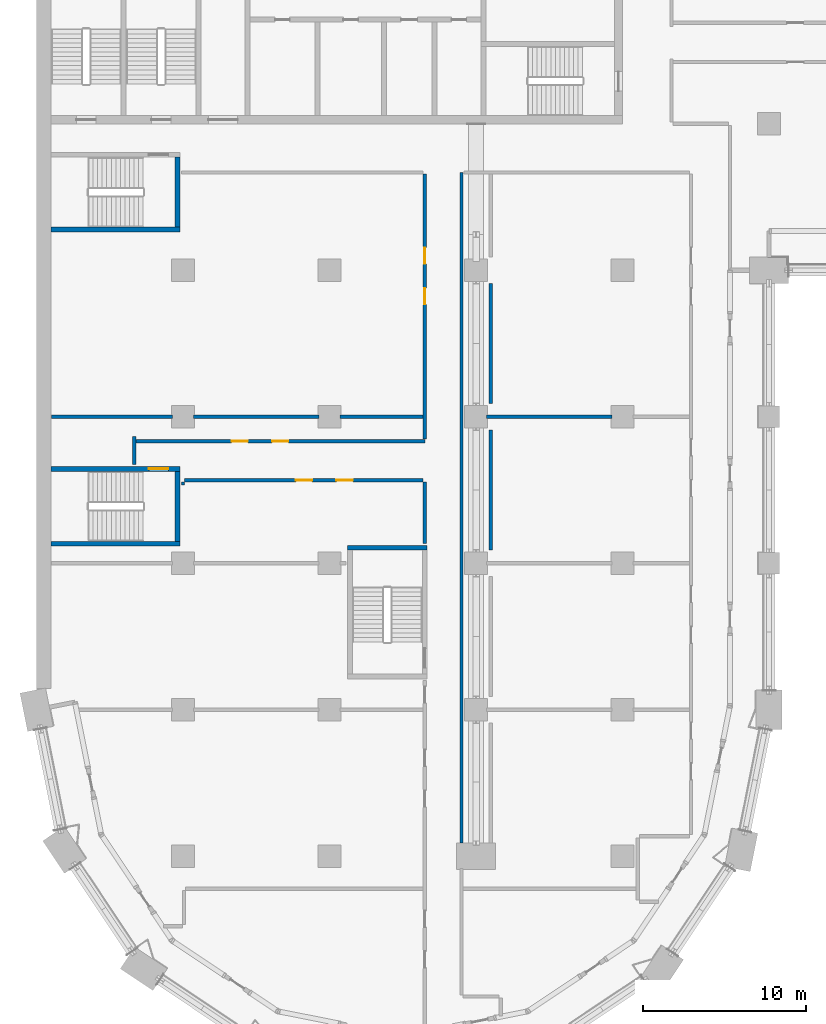
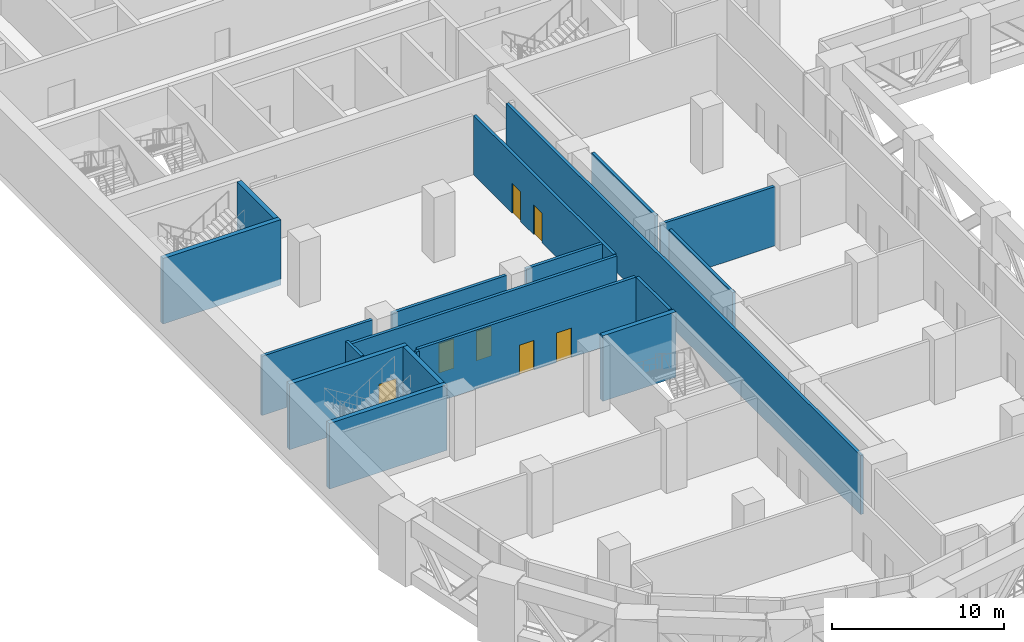
# One storey, part 9 of 24: 19 walls, 7 doors, 7 openings.
"""IFC4 building model written with IfcOpenShell, lengths in metres."""

from ifc_helpers import new_model, si_unit, direction, frame, frame_2d, origin, place, context, subcontext, project, spatial, rectangle, extrude, material, layer, layer_set, type_object, element, fill, save


model = new_model("IFC4")

# Units and contexts
model_context = context("Model", 3, precision=1e-05, world=origin(), true_north=direction((0.0, 1.0)))
body_context = subcontext(model_context, "Body", "Model", "MODEL_VIEW")
ifc_project = project(units=[si_unit("LENGTHUNIT", "METRE"), si_unit("AREAUNIT", "SQUARE_METRE"), si_unit("VOLUMEUNIT", "CUBIC_METRE"), si_unit("PLANEANGLEUNIT", "RADIAN"), si_unit("MASSUNIT", "GRAM", prefix="KILO")], contexts=[model_context])

# Site, building, storey
site_placement = place(None, origin())
site = spatial("IfcSite", under=ifc_project, at=site_placement, CompositionType="ELEMENT")
building_placement = place(site_placement, origin())
building = spatial("IfcBuilding", under=site, at=building_placement, Name="Hunhe Ridgeline Campus", CompositionType="ELEMENT")
storey_placement = place(building_placement, frame((0.0, 0.0, 80.199951171875)))
storey = spatial("IfcBuildingStorey", under=building, at=storey_placement, Name="L19", CompositionType="ELEMENT", Elevation=80.199951171875)

# Wall, openings, doors
ifc_material_1 = material(Name="Gypsum board partition")
ifc_layer_1 = layer(ifc_material_1, 0.199951171875)
ifc_layer_set_1 = layer_set([ifc_layer_1], Name="Corridor partition 200 gypsum board on steel studs")
wall_type_1 = type_object("IfcWallType", Name="Corridor partition 200 gypsum board on steel studs", PredefinedType="PARTITIONING", material=ifc_layer_set_1)
wall_1_placement = place(storey_placement, frame((23.75, 41.10009765625, 0.0), z_axis=(0.0, 0.0, 1.0), x_axis=(-1.0, 0.0, 0.0)))
wall_1 = element("IfcWall", 1, at=wall_1_placement, inside=storey, type_object=wall_type_1, Name="F-L19-wall-017", PredefinedType="PARTITIONING", context=body_context, shape_type="SweptSolid", body=[
    extrude(rectangle(XDim=14.64990234375, YDim=0.199951171875, at=frame_2d((7.324951171875, 0.0))), origin(), (0.0, 0.0, 1.0), 4.199951171875),
])
opening_1_placement = place(wall_1_placement, frame((6.824951171875, 0.0, 0.0)))
opening_1 = element("IfcOpeningElement", 2, at=opening_1_placement, cuts=wall_1, Name="Opening RD1-011", PredefinedType="OPENING", context=body_context, shape_type="SweptSolid", body=[
    extrude(rectangle(XDim=1.0, YDim=2.10009765625, at=frame_2d((0.5, 1.050048828125))), frame((0.0, 0.10009765625, 0.0), z_axis=(0.0, -1.0, 0.0), x_axis=(1.0, 0.0, 0.0)), (0.0, 0.0, 1.0), 0.199951171875),
])
opening_2_placement = place(wall_1_placement, frame((4.324951171875, 0.0, 0.0)))
opening_2 = element("IfcOpeningElement", 3, at=opening_2_placement, cuts=wall_1, Name="Opening RD1-012", PredefinedType="OPENING", context=body_context, shape_type="SweptSolid", body=[
    extrude(rectangle(XDim=1.0, YDim=2.10009765625, at=frame_2d((0.5, 1.050048828125))), frame((0.0, 0.10009765625, 0.0), z_axis=(0.0, -1.0, 0.0), x_axis=(1.0, 0.0, 0.0)), (0.0, 0.0, 1.0), 0.199951171875),
])
ifc_material_2 = material(Name="Timber door leaf", Category="wood")
door_type_1 = type_object("IfcDoorType", Name="Single fire door 1000x2100 timber FD60", OperationType="NOTDEFINED", PredefinedType="DOOR", material=ifc_material_2)
door_1_placement = place(opening_1_placement, frame((1.0, 0.0, 0.0), z_axis=(0.0, 0.0, 1.0), x_axis=(-1.0, 0.0, 0.0)))
door_1 = element("IfcDoor", 4, at=door_1_placement, inside=storey, type_object=door_type_1, Name="F-L19-door-011", OperationType="SINGLE_SWING_RIGHT", OverallHeight=2.10009765625, OverallWidth=1.0, PredefinedType="DOOR", context=body_context, shape_type="SweptSolid", body=[
    extrude(rectangle(XDim=1.0, YDim=2.10009765625, at=frame_2d((0.5, 1.050048828125))), frame((0.0, 0.02490234375, 0.0), z_axis=(0.0, -1.0, 0.0), x_axis=(1.0, 0.0, 0.0)), (0.0, 0.0, 1.0), 0.050048828125),
])
fill(opening_1, door_1)
door_2_placement = place(opening_2_placement, frame((1.0, 0.0, 0.0), z_axis=(0.0, 0.0, 1.0), x_axis=(-1.0, 0.0, 0.0)))
door_2 = element("IfcDoor", 5, at=door_2_placement, inside=storey, type_object=door_type_1, Name="F-L19-door-012", OperationType="SINGLE_SWING_RIGHT", OverallHeight=2.10009765625, OverallWidth=1.0, PredefinedType="DOOR", context=body_context, shape_type="SweptSolid", body=[
    extrude(rectangle(XDim=1.0, YDim=2.10009765625, at=frame_2d((0.5, 1.050048828125))), frame((0.0, 0.02490234375, 0.0), z_axis=(0.0, -1.0, 0.0), x_axis=(1.0, 0.0, 0.0)), (0.0, 0.0, 1.0), 0.050048828125),
])
fill(opening_2, door_2)

wall_2_placement = place(storey_placement, frame((6.10009765625, 43.5, 0.0), z_axis=(0.0, 0.0, 1.0), x_axis=(1.0, 0.0, 0.0)))
wall_2 = element("IfcWall", 6, at=wall_2_placement, inside=storey, type_object=wall_type_1, Name="F-L19-wall-018", PredefinedType="PARTITIONING", context=body_context, shape_type="SweptSolid", body=[
    extrude(rectangle(XDim=17.75, YDim=0.199951171875, at=frame_2d((8.875, 0.0))), origin(), (0.0, 0.0, 1.0), 4.199951171875),
])
opening_3_placement = place(wall_2_placement, frame((5.875, 0.0, 0.0)))
opening_3 = element("IfcOpeningElement", 7, at=opening_3_placement, cuts=wall_2, Name="Opening RD1-014", PredefinedType="OPENING", context=body_context, shape_type="SweptSolid", body=[
    extrude(rectangle(XDim=1.0, YDim=2.10009765625, at=frame_2d((0.5, 1.050048828125))), frame((0.0, 0.10009765625, 0.0), z_axis=(0.0, -1.0, 0.0), x_axis=(1.0, 0.0, 0.0)), (0.0, 0.0, 1.0), 0.199951171875),
])
opening_4_placement = place(wall_2_placement, frame((8.375, 0.0, 0.0)))
opening_4 = element("IfcOpeningElement", 8, at=opening_4_placement, cuts=wall_2, Name="Opening RD1-015", PredefinedType="OPENING", context=body_context, shape_type="SweptSolid", body=[
    extrude(rectangle(XDim=1.0, YDim=2.10009765625, at=frame_2d((0.5, 1.050048828125))), frame((0.0, 0.10009765625, 0.0), z_axis=(0.0, -1.0, 0.0), x_axis=(1.0, 0.0, 0.0)), (0.0, 0.0, 1.0), 0.199951171875),
])
door_3_placement = place(opening_3_placement, frame((1.0, 0.0, 0.0), z_axis=(0.0, 0.0, 1.0), x_axis=(-1.0, 0.0, 0.0)))
door_3 = element("IfcDoor", 9, at=door_3_placement, inside=storey, type_object=door_type_1, Name="F-L19-door-014", OperationType="SINGLE_SWING_RIGHT", OverallHeight=2.10009765625, OverallWidth=1.0, PredefinedType="DOOR", context=body_context, shape_type="SweptSolid", body=[
    extrude(rectangle(XDim=1.0, YDim=2.10009765625, at=frame_2d((0.5, 1.050048828125))), frame((0.0, 0.02490234375, 0.0), z_axis=(0.0, -1.0, 0.0), x_axis=(1.0, 0.0, 0.0)), (0.0, 0.0, 1.0), 0.050048828125),
])
fill(opening_3, door_3)
door_4_placement = place(opening_4_placement, frame((1.0, 0.0, 0.0), z_axis=(0.0, 0.0, 1.0), x_axis=(-1.0, 0.0, 0.0)))
door_4 = element("IfcDoor", 10, at=door_4_placement, inside=storey, type_object=door_type_1, Name="F-L19-door-015", OperationType="SINGLE_SWING_LEFT", OverallHeight=2.10009765625, OverallWidth=1.0, PredefinedType="DOOR", context=body_context, shape_type="SweptSolid", body=[
    extrude(rectangle(XDim=1.0, YDim=2.10009765625, at=frame_2d((0.5, 1.050048828125))), frame((0.0, 0.02490234375, 0.0), z_axis=(0.0, -1.0, 0.0), x_axis=(1.0, 0.0, 0.0)), (0.0, 0.0, 1.0), 0.050048828125),
])
fill(opening_4, door_4)

# Walls
wall_3_placement = place(storey_placement, frame((0.924072265625, 45.0, 0.0), z_axis=(0.0, 0.0, 1.0), x_axis=(1.0, 0.0, 0.0)))
element("IfcWall", 11, at=wall_3_placement, inside=storey, type_object=wall_type_1, Name="F-L19-wall-019", PredefinedType="PARTITIONING", context=body_context, shape_type="SweptSolid", body=[
    extrude(rectangle(XDim=7.426025390625, YDim=0.199951171875, at=frame_2d((3.712890625, 0.0))), origin(), (0.0, 0.0, 1.0), 4.199951171875),
])
wall_4_placement = place(storey_placement, frame((9.64990234375, 45.0, 0.0), z_axis=(0.0, 0.0, 1.0), x_axis=(1.0, 0.0, 0.0)))
element("IfcWall", 12, at=wall_4_placement, inside=storey, type_object=wall_type_1, Name="F-L19-wall-020", PredefinedType="PARTITIONING", context=body_context, shape_type="SweptSolid", body=[
    extrude(rectangle(XDim=7.7001953125, YDim=0.199951171875, at=frame_2d((3.85009765625, 0.0))), origin(), (0.0, 0.0, 1.0), 4.199951171875),
])
wall_5_placement = place(storey_placement, frame((18.64990234375, 45.0, 0.0), z_axis=(0.0, 0.0, 1.0), x_axis=(1.0, 0.0, 0.0)))
element("IfcWall", 13, at=wall_5_placement, inside=storey, type_object=wall_type_1, Name="F-L19-wall-021", PredefinedType="PARTITIONING", context=body_context, shape_type="SweptSolid", body=[
    extrude(rectangle(XDim=5.10009765625, YDim=0.199951171875, at=frame_2d((2.550048828125, 0.0))), origin(), (0.0, 0.0, 1.0), 4.199951171875),
])
wall_6_placement = place(storey_placement, frame((27.64990234375, 45.0, 0.0), z_axis=(0.0, 0.0, 1.0), x_axis=(1.0, 0.0, 0.0)))
element("IfcWall", 14, at=wall_6_placement, inside=storey, type_object=wall_type_1, Name="F-L19-wall-022", PredefinedType="PARTITIONING", context=body_context, shape_type="SweptSolid", body=[
    extrude(rectangle(XDim=7.7001953125, YDim=0.199951171875, at=frame_2d((3.85009765625, 0.0))), origin(), (0.0, 0.0, 1.0), 4.199951171875),
])
wall_7_placement = place(storey_placement, frame((6.0, 42.053955078125, 0.0), z_axis=(0.0, 0.0, 1.0), x_axis=(0.0, 1.0, 0.0)))
element("IfcWall", 15, at=wall_7_placement, inside=storey, type_object=wall_type_1, Name="F-L19-wall-044", PredefinedType="PARTITIONING", context=body_context, shape_type="SweptSolid", body=[
    extrude(rectangle(XDim=1.74609375, YDim=0.199951171875, at=frame_2d((0.873046875, 0.0))), origin(), (0.0, 0.0, 1.0), 4.199951171875),
])
wall_8_placement = place(storey_placement, frame((9.0, 41.0, 0.0), z_axis=(0.0, 0.0, 1.0), x_axis=(0.0, -1.0, 0.0)))
element("IfcWall", 16, at=wall_8_placement, inside=storey, type_object=wall_type_1, Name="F-L19-wall-045", PredefinedType="PARTITIONING", context=body_context, shape_type="SweptSolid", body=[
    extrude(rectangle(XDim=0.199951171875, YDim=0.199951171875, at=frame_2d((0.10009765625, 0.0))), origin(), (0.0, 0.0, 1.0), 4.199951171875),
])
wall_9_placement = place(storey_placement, frame((23.85009765625, 37.2041015625, 0.0), z_axis=(0.0, 0.0, 1.0), x_axis=(0.0, 1.0, 0.0)))
element("IfcWall", 17, at=wall_9_placement, inside=storey, type_object=wall_type_1, Name="F-L19-wall-048", PredefinedType="PARTITIONING", context=body_context, shape_type="SweptSolid", body=[
    extrude(rectangle(XDim=3.7958984375, YDim=0.199951171875, at=frame_2d((1.89794921875, 0.0))), origin(), (0.0, 0.0, 1.0), 4.199951171875),
])

# Wall, openings, doors
wall_10_placement = place(storey_placement, frame((23.85009765625, 43.646240234375, 0.0), z_axis=(0.0, 0.0, 1.0), x_axis=(0.0, 1.0, 0.0)))
wall_10 = element("IfcWall", 18, at=wall_10_placement, inside=storey, type_object=wall_type_1, Name="F-L19-wall-049", PredefinedType="PARTITIONING", context=body_context, shape_type="SweptSolid", body=[
    extrude(rectangle(XDim=16.253662109375, YDim=0.199951171875, at=frame_2d((8.126953125, 0.0))), origin(), (0.0, 0.0, 1.0), 4.199951171875),
])
opening_5_placement = place(wall_10_placement, frame((8.251953125, 0.0, 0.0)))
opening_5 = element("IfcOpeningElement", 19, at=opening_5_placement, cuts=wall_10, Name="Opening RD1-016", PredefinedType="OPENING", context=body_context, shape_type="SweptSolid", body=[
    extrude(rectangle(XDim=1.0, YDim=2.10009765625, at=frame_2d((0.5, 1.050048828125))), frame((0.0, 0.10009765625, 0.0), z_axis=(0.0, -1.0, 0.0), x_axis=(1.0, 0.0, 0.0)), (0.0, 0.0, 1.0), 0.199951171875),
])
opening_6_placement = place(wall_10_placement, frame((10.751953125, 0.0, 0.0)))
opening_6 = element("IfcOpeningElement", 20, at=opening_6_placement, cuts=wall_10, Name="Opening RD1-018", PredefinedType="OPENING", context=body_context, shape_type="SweptSolid", body=[
    extrude(rectangle(XDim=1.0, YDim=2.10009765625, at=frame_2d((0.5, 1.050048828125))), frame((0.0, 0.10009765625, 0.0), z_axis=(0.0, -1.0, 0.0), x_axis=(1.0, 0.0, 0.0)), (0.0, 0.0, 1.0), 0.199951171875),
])
door_5_placement = place(opening_5_placement, frame((1.0, 0.0, 0.0), z_axis=(0.0, 0.0, 1.0), x_axis=(-1.0, 0.0, 0.0)))
door_5 = element("IfcDoor", 21, at=door_5_placement, inside=storey, type_object=door_type_1, Name="F-L19-door-016", OperationType="SINGLE_SWING_LEFT", OverallHeight=2.10009765625, OverallWidth=1.0, PredefinedType="DOOR", context=body_context, shape_type="SweptSolid", body=[
    extrude(rectangle(XDim=1.0, YDim=2.10009765625, at=frame_2d((0.5, 1.050048828125))), frame((0.0, 0.02490234375, 0.0), z_axis=(0.0, -1.0, 0.0), x_axis=(1.0, 0.0, 0.0)), (0.0, 0.0, 1.0), 0.050048828125),
])
fill(opening_5, door_5)
door_6_placement = place(opening_6_placement, frame((1.0, 0.0, 0.0), z_axis=(0.0, 0.0, 1.0), x_axis=(-1.0, 0.0, 0.0)))
door_6 = element("IfcDoor", 22, at=door_6_placement, inside=storey, type_object=door_type_1, Name="F-L19-door-018", OperationType="SINGLE_SWING_LEFT", OverallHeight=2.10009765625, OverallWidth=1.0, PredefinedType="DOOR", context=body_context, shape_type="SweptSolid", body=[
    extrude(rectangle(XDim=1.0, YDim=2.10009765625, at=frame_2d((0.5, 1.050048828125))), frame((0.0, 0.02490234375, 0.0), z_axis=(0.0, -1.0, 0.0), x_axis=(1.0, 0.0, 0.0)), (0.0, 0.0, 1.0), 0.050048828125),
])
fill(opening_6, door_6)

# Walls
wall_11_placement = place(storey_placement, frame((26.10009765625, 59.999755859375, 0.0), z_axis=(0.0, 0.0, 1.0), x_axis=(0.0, -1.0, 0.0)))
element("IfcWall", 23, at=wall_11_placement, inside=storey, type_object=wall_type_1, Name="F-L19-wall-051", PredefinedType="PARTITIONING", context=body_context, shape_type="SweptSolid", body=[
    extrude(rectangle(XDim=41.177001953125, YDim=0.199951171875, at=frame_2d((20.58837890625, 0.0))), origin(), (0.0, 0.0, 1.0), 4.199951171875),
])
for number, where, z_axis, x_axis, name in (
    (24, (27.89990234375, 44.199951171875, 0.0), (0.0, 0.0, 1.0), (0.0, -1.0, 0.0), "F-L19-wall-054"),
    (25, (27.89990234375, 53.199951171875, 0.0), (0.0, 0.0, 1.0), (0.0, -1.0, 0.0), "F-L19-wall-055"),
):
    element("IfcWall", number, at=place(storey_placement, frame(where, z_axis=z_axis, x_axis=x_axis)), inside=storey, type_object=wall_type_1, Name=name, PredefinedType="PARTITIONING", context=body_context, shape_type="SweptSolid", body=[
        extrude(rectangle(XDim=7.39990234375, YDim=0.199951171875, at=frame_2d((3.699951171875, 0.0))), origin(), (0.0, 0.0, 1.0), 4.199951171875),
    ])
ifc_material_3 = material(Name="Concrete C80", Category="concrete")
ifc_layer_2 = layer(ifc_material_3, 0.300048828125)
ifc_layer_set_2 = layer_set([ifc_layer_2], Name="Stair wall 300 reinforced concrete C80")
wall_type_2 = type_object("IfcWallType", Name="Stair wall 300 reinforced concrete C80", PredefinedType="SOLIDWALL", material=ifc_layer_set_2)
wall_12_placement = place(storey_placement, frame((19.10009765625, 36.949951171875, -0.449951171875), z_axis=(0.0, 0.0, 1.0), x_axis=(1.0, 0.0, 0.0)))
element("IfcWall", 26, at=wall_12_placement, inside=storey, type_object=wall_type_2, Name="L19 core wall 2", PredefinedType="SOLIDWALL", context=body_context, shape_type="SweptSolid", body=[
    extrude(rectangle(XDim=4.89990234375, YDim=0.300048828125, at=frame_2d((2.449951171875, 0.0))), origin(), (0.0, 0.0, 1.0), 4.64990234375),
])
wall_13_placement = place(storey_placement, frame((0.89990234375, 37.199951171875, -0.449951171875), z_axis=(0.0, 0.0, 1.0), x_axis=(1.0, 0.0, 0.0)))
element("IfcWall", 27, at=wall_13_placement, inside=storey, type_object=wall_type_2, Name="L19 core wall 3", PredefinedType="SOLIDWALL", context=body_context, shape_type="SweptSolid", body=[
    extrude(rectangle(XDim=7.900146484375, YDim=0.300048828125, at=frame_2d((3.9501953125, 0.0))), origin(), (0.0, 0.0, 1.0), 4.64990234375),
])

# Wall, opening, door
wall_14_placement = place(storey_placement, frame((0.89990234375, 41.800048828125, -0.449951171875), z_axis=(0.0, 0.0, 1.0), x_axis=(1.0, 0.0, 0.0)))
wall_14 = element("IfcWall", 28, at=wall_14_placement, inside=storey, type_object=wall_type_2, Name="L19 core wall 4", PredefinedType="SOLIDWALL", context=body_context, shape_type="SweptSolid", body=[
    extrude(rectangle(XDim=7.900146484375, YDim=0.300048828125, at=frame_2d((3.9501953125, 0.0))), origin(), (0.0, 0.0, 1.0), 4.64990234375),
])
opening_7_placement = place(wall_14_placement, frame((6.0, 0.0, 0.449951171875)))
opening_7 = element("IfcOpeningElement", 29, at=opening_7_placement, cuts=wall_14, Name="Opening CD21", PredefinedType="OPENING", context=body_context, shape_type="SweptSolid", body=[
    extrude(rectangle(XDim=1.199951171875, YDim=2.10009765625, at=frame_2d((0.60009765625, 1.050048828125))), frame((0.0, 0.14990234375, 0.0), z_axis=(0.0, -1.0, 0.0), x_axis=(1.0, 0.0, 0.0)), (0.0, 0.0, 1.0), 0.300048828125),
])
ifc_material_4 = material(Name="Hollow metal fire door leaf")
door_type_2 = type_object("IfcDoorType", Name="Stair door 1200x2100 FD60", OperationType="SINGLE_SWING_LEFT", PredefinedType="DOOR", material=ifc_material_4)
door_7_placement = place(opening_7_placement, origin())
door_7 = element("IfcDoor", 30, at=door_7_placement, inside=storey, type_object=door_type_2, Name="L19 door W1", OperationType="SINGLE_SWING_LEFT", OverallHeight=2.10009765625, OverallWidth=1.199951171875, PredefinedType="DOOR", context=body_context, shape_type="SweptSolid", body=[
    extrude(rectangle(XDim=1.199951171875, YDim=2.10009765625, at=frame_2d((0.60009765625, 1.050048828125))), frame((0.0, 0.02490234375, 0.0), z_axis=(0.0, -1.0, 0.0), x_axis=(1.0, 0.0, 0.0)), (0.0, 0.0, 1.0), 0.050048828125),
])
fill(opening_7, door_7)

# Walls
wall_15_placement = place(storey_placement, frame((0.89990234375, 56.5, -0.449951171875), z_axis=(0.0, 0.0, 1.0), x_axis=(1.0, 0.0, 0.0)))
element("IfcWall", 31, at=wall_15_placement, inside=storey, type_object=wall_type_2, Name="L19 core wall 5", PredefinedType="SOLIDWALL", context=body_context, shape_type="SweptSolid", body=[
    extrude(rectangle(XDim=7.900146484375, YDim=0.300048828125, at=frame_2d((3.9501953125, 0.0))), origin(), (0.0, 0.0, 1.0), 4.64990234375),
])
wall_16_placement = place(storey_placement, frame((8.64990234375, 37.35009765625, -0.449951171875), z_axis=(0.0, 0.0, 1.0), x_axis=(0.0, 1.0, 0.0)))
element("IfcWall", 32, at=wall_16_placement, inside=storey, type_object=wall_type_2, Name="L19 core wall 42", PredefinedType="SOLIDWALL", context=body_context, shape_type="SweptSolid", body=[
    extrude(rectangle(XDim=4.2998046875, YDim=0.300048828125, at=frame_2d((2.14990234375, 0.0))), origin(), (0.0, 0.0, 1.0), 4.64990234375),
])
wall_17_placement = place(storey_placement, frame((8.64990234375, 56.64990234375, -0.449951171875), z_axis=(0.0, 0.0, 1.0), x_axis=(0.0, 1.0, 0.0)))
element("IfcWall", 33, at=wall_17_placement, inside=storey, type_object=wall_type_2, Name="L19 core wall 43", PredefinedType="SOLIDWALL", context=body_context, shape_type="SweptSolid", body=[
    extrude(rectangle(XDim=4.300048828125, YDim=0.300048828125, at=frame_2d((2.14990234375, 0.0))), origin(), (0.0, 0.0, 1.0), 4.64990234375),
])

save(model, "model.ifc")
